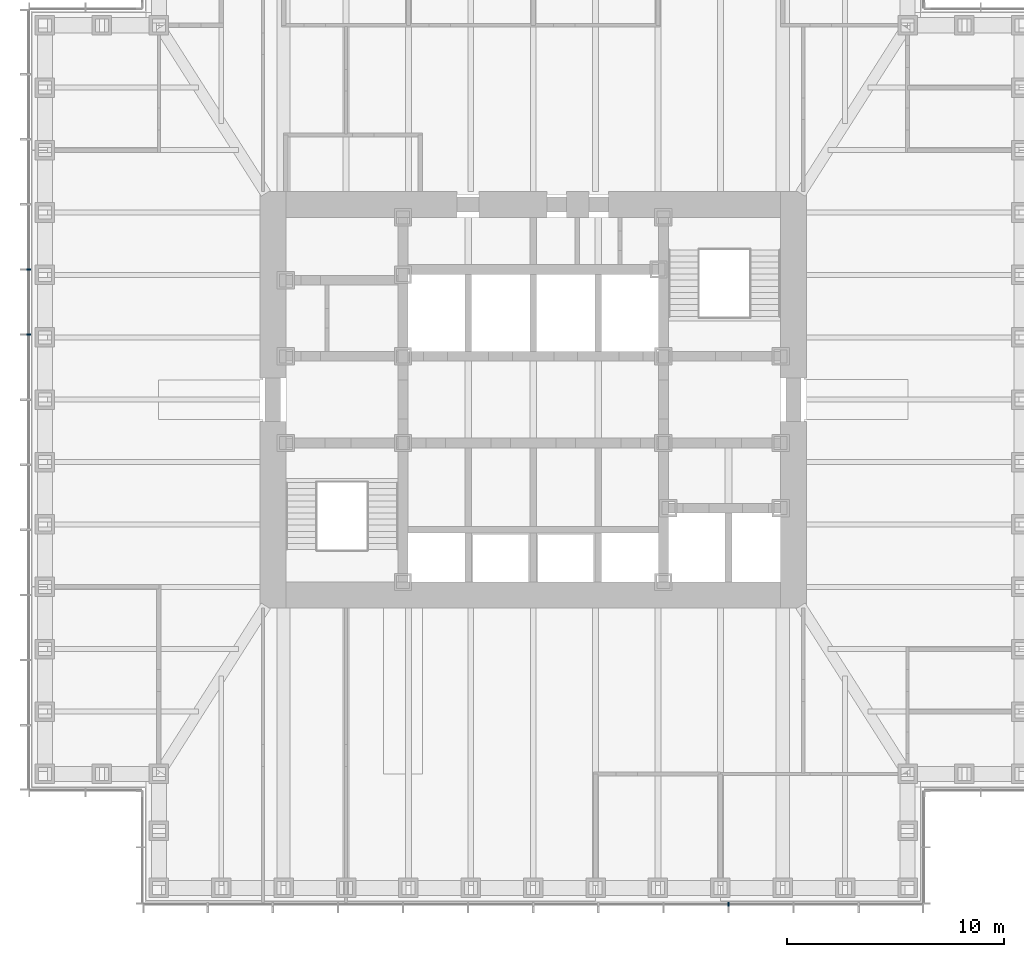
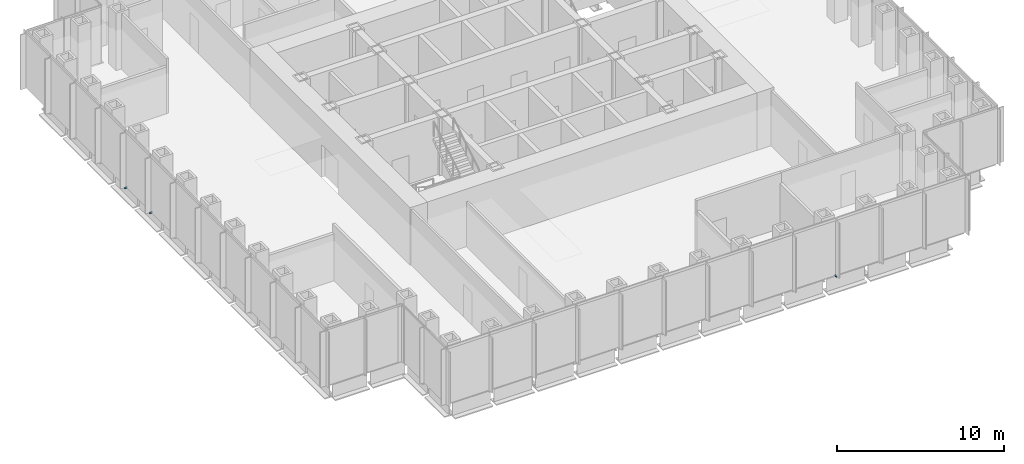
# One storey, part 13 of 17: 3 discrete accessories.
"""IFC4 building model written with IfcOpenShell, lengths in metres."""

from ifc_helpers import new_model, si_unit, direction, frame, origin, origin_2d, place, context, subcontext, project, spatial, rectangle, extrude, element, save


model = new_model("IFC4")

# Units and contexts
model_context = context("Model", 3, precision=1e-05, world=origin(), true_north=direction((0.0, 1.0)))
body_context = subcontext(model_context, "Body", "Model", "MODEL_VIEW")
ifc_project = project(units=[si_unit("LENGTHUNIT", "METRE"), si_unit("AREAUNIT", "SQUARE_METRE"), si_unit("VOLUMEUNIT", "CUBIC_METRE"), si_unit("PLANEANGLEUNIT", "RADIAN"), si_unit("MASSUNIT", "GRAM", prefix="KILO")], contexts=[model_context])

# Site, building, storey
site_placement = place(None, origin())
site = spatial("IfcSite", under=ifc_project, at=site_placement, CompositionType="ELEMENT")
building_placement = place(site_placement, origin())
building = spatial("IfcBuilding", under=site, at=building_placement, Name="Daluyong Arena Tower", CompositionType="ELEMENT")
storey_placement = place(building_placement, frame((0.0, 0.0, 129.10009765625)))
storey = spatial("IfcBuildingStorey", under=building, at=storey_placement, Name="L28", CompositionType="ELEMENT", Elevation=129.10009765625)

# Discrete accessories
for number, where, z_axis, x_axis, name in (
    (1, (65.0, 56.75, -0.10009765625), (0.0, 0.0, 1.0), (1.0, 0.0, 0.0), "curtain wall L28 S anchor bracket 10"),
    (2, (32.75, 86.0, -0.10009765625), (0.0, 0.0, 1.0), (0.0, -1.0, 0.0), "curtain wall L28 W anchor bracket 5"),
    (3, (32.75, 83.0, -0.10009765625), (0.0, 0.0, 1.0), (0.0, -1.0, 0.0), "curtain wall L28 W anchor bracket 6"),
):
    element("IfcDiscreteAccessory", number, at=place(storey_placement, frame(where, z_axis=z_axis, x_axis=x_axis)), inside=storey, Name=name, PredefinedType="BRACKET", context=body_context, shape_type="SweptSolid", body=[
        extrude(rectangle(XDim=0.080078125, YDim=0.199951171875, at=origin_2d()), origin(), (0.0, 0.0, 1.0), 0.10009765625),
    ])

save(model, "model.ifc")
